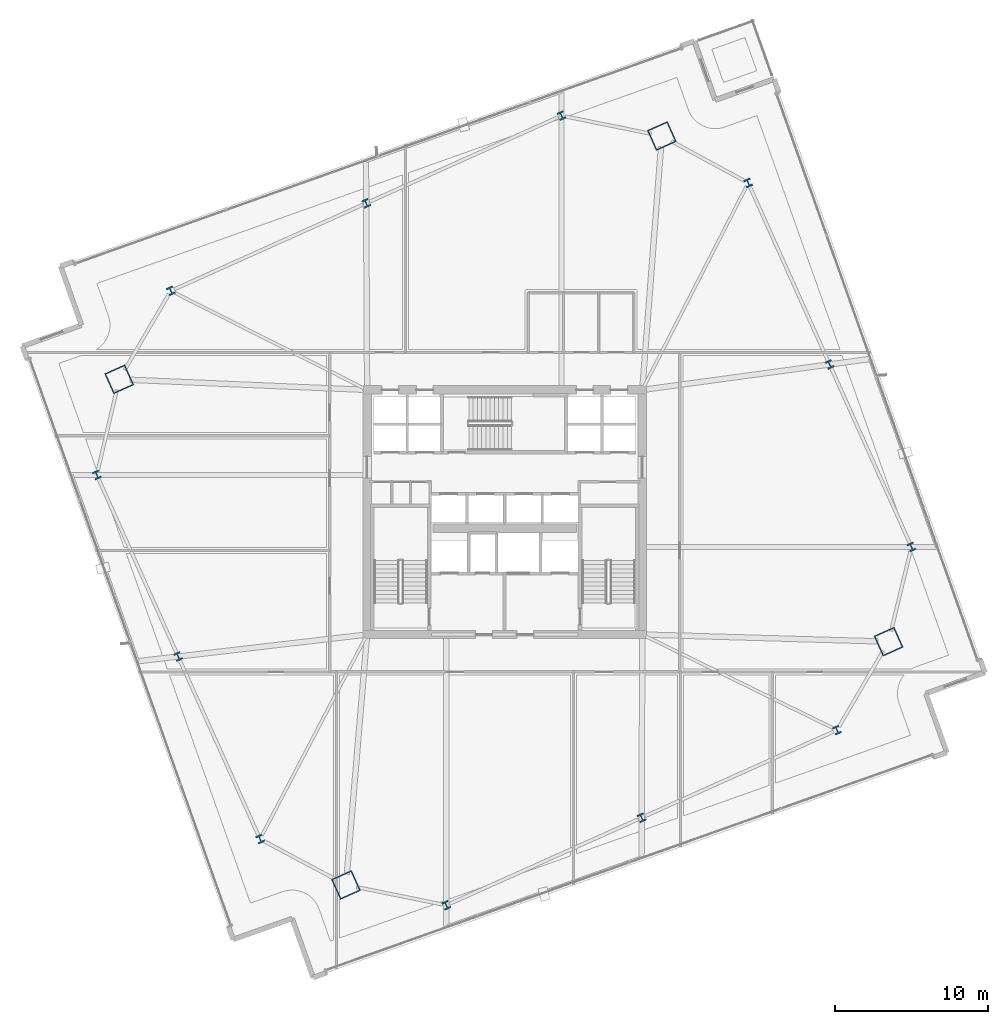
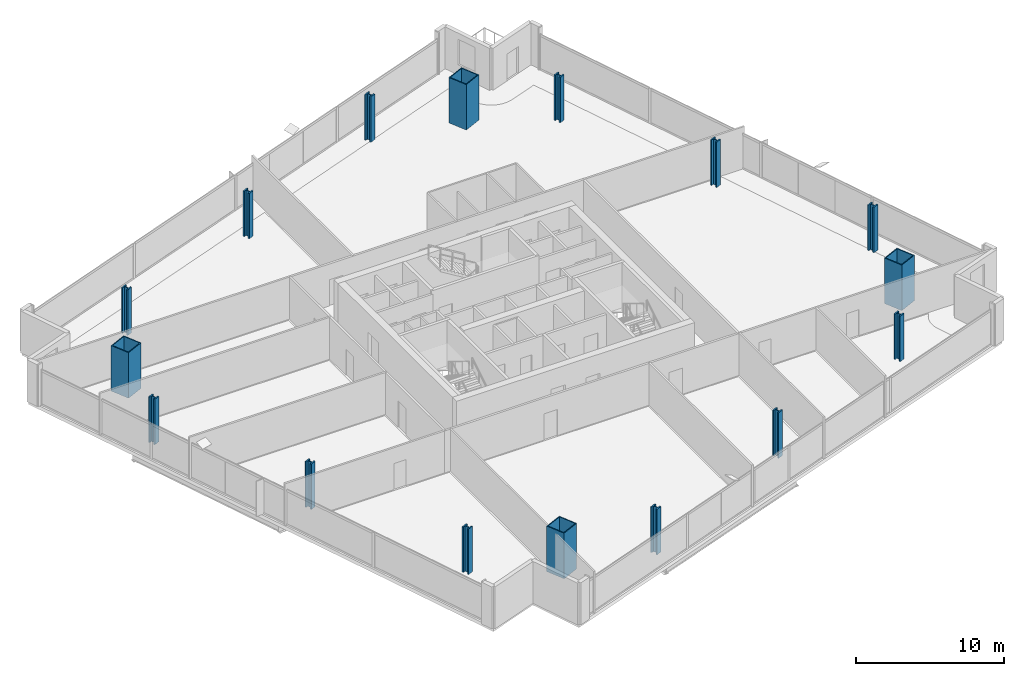
# One storey, part 1 of 33: 16 columns.
"""IFC4 building model written with IfcOpenShell, lengths in metres."""

from ifc_helpers import new_model, si_unit, direction, frame, origin, origin_2d, place, context, subcontext, project, spatial, hollow_rectangle, i_section, extrude, material, material_profile, profile_set, type_object, element, save


model = new_model("IFC4")

# Units and contexts
model_context = context("Model", 3, precision=1e-05, world=origin(), true_north=direction((0.0, 1.0)))
body_context = subcontext(model_context, "Body", "Model", "MODEL_VIEW")
ifc_project = project(units=[si_unit("LENGTHUNIT", "METRE"), si_unit("AREAUNIT", "SQUARE_METRE"), si_unit("VOLUMEUNIT", "CUBIC_METRE"), si_unit("PLANEANGLEUNIT", "RADIAN"), si_unit("MASSUNIT", "GRAM", prefix="KILO")], contexts=[model_context])

# Site, building, storey
site_placement = place(None, origin())
site = spatial("IfcSite", under=ifc_project, at=site_placement, CompositionType="ELEMENT")
building_placement = place(site_placement, origin())
building = spatial("IfcBuilding", under=site, at=building_placement, Name="Haldenkirk Collegiate Tower", CompositionType="ELEMENT")
storey_placement = place(building_placement, frame((0.0, 0.0, 94.199951171875)))
storey = spatial("IfcBuildingStorey", under=building, at=storey_placement, Name="L22", CompositionType="ELEMENT", Elevation=94.199951171875)

# Columns
ifc_material_1 = material(Name="Steel ASTM A913 Grade 65", Category="steel")
ifc_material_profile_1 = material_profile(ifc_material_1, i_section(OverallWidth=0.44189453125, OverallDepth=0.531005859375, WebThickness=0.06591796875, FlangeThickness=0.105712890625, at=origin_2d()), Name="W14X605")
ifc_profile_set_1 = profile_set([ifc_material_profile_1], Name="Steel ASTM A913 Grade 65")
column_type_1 = type_object("IfcColumnType", Name="COL-INT-W14X605", PredefinedType="COLUMN", material=ifc_profile_set_1)
for number, where, z_axis, x_axis, name in (
    (1, (32.181396484375, 0.287353515625, 0.0), (0.0, 0.0, 1.0), (0.912477494148, 0.409126902895, 0.0), "L22 perimeter gravity column PC-S1"),
    (2, (44.9599609375, 6.0166015625, 0.0), (0.0, 0.0, 1.0), (0.912477494148, 0.409126902895, 0.0), "L22 perimeter gravity column PC-S2"),
    (3, (57.73828125, 11.74609375, 0.0), (0.0, 0.0, 1.0), (0.912477494148, 0.409126902895, 0.0), "L22 perimeter gravity column PC-S3"),
    (4, (62.608642578125, 23.727294921875, 0.0), (0.0, 0.0, 1.0), (0.912477494148, 0.409126902895, 0.0), "L22 perimeter gravity column PC-E1"),
    (5, (57.255126953125, 35.667236328125, 0.0), (0.0, 0.0, 1.0), (0.912477494148, 0.409126902895, 0.0), "L22 perimeter gravity column PC-E2"),
    (6, (51.930419921875, 47.543212890625, 0.0), (0.0, 0.0, 1.0), (0.912477494148, 0.409126902895, 0.0), "L22 perimeter gravity column PC-E3"),
    (7, (39.71630859375, 51.94091796875, 0.0), (0.0, 0.0, 1.0), (0.912477494148, 0.409126902895, 0.0), "L22 perimeter gravity column PC-N1"),
    (8, (26.937744140625, 46.21142578125, 0.0), (0.0, 0.0, 1.0), (0.912477494148, 0.409126902895, 0.0), "L22 perimeter gravity column PC-N2"),
    (9, (14.159423828125, 40.48193359375, 0.0), (0.0, 0.0, 1.0), (0.912477494148, 0.409126902895, 0.0), "L22 perimeter gravity column PC-N3"),
    (10, (9.317626953125, 28.436767578125, 0.0), (0.0, 0.0, 1.0), (0.912477494148, 0.409126902895, 0.0), "L22 perimeter gravity column PC-W1"),
    (11, (14.642578125, 16.560791015625, 0.0), (0.0, 0.0, 1.0), (0.912477494148, 0.409126902895, 0.0), "L22 perimeter gravity column PC-W2"),
    (12, (19.995849609375, 4.62109375, 0.0), (0.0, 0.0, 1.0), (0.912477494148, 0.409126902895, 0.0), "L22 perimeter gravity column PC-W3"),
):
    element("IfcColumn", number, at=place(storey_placement, frame(where, z_axis=z_axis, x_axis=x_axis)), inside=storey, type_object=column_type_1, Name=name, PredefinedType="COLUMN", context=body_context, shape_type="SweptSolid", body=[
        extrude(i_section(OverallWidth=0.44189453125, OverallDepth=0.531005859375, WebThickness=0.06591796875, FlangeThickness=0.105712890625, at=origin_2d()), origin(), (0.0, 0.0, 1.0), 3.75),
    ])
ifc_material_2 = material(Name="Steel ASTM A572 Grade 50", Category="steel")
ifc_material_profile_2 = material_profile(ifc_material_2, hollow_rectangle(XDim=1.449951171875, YDim=1.449951171875, WallThickness=0.070068359375, at=origin_2d()), Name="BOX1450X1450X70")
ifc_profile_set_2 = profile_set([ifc_material_profile_2], Name="Steel ASTM A572 Grade 50")
column_type_2 = type_object("IfcColumnType", Name="COL-MEGA-BOX1450X1450X70", PredefinedType="COLUMN", material=ifc_profile_set_2)
for number, where, z_axis, x_axis, name in (
    (13, (25.61669921875, 1.617919921875, 0.0), (0.0, 0.0, 1.0), (0.912477494148, 0.409126902895, 0.0), "L22 corner mega-column MC1"),
    (14, (61.112060546875, 17.532958984375, 0.0), (0.0, 0.0, 1.0), (0.912477494148, 0.409126902895, 0.0), "L22 corner mega-column MC2"),
    (15, (46.281005859375, 50.610107421875, 0.0), (0.0, 0.0, 1.0), (0.912477494148, 0.409126902895, 0.0), "L22 corner mega-column MC3"),
    (16, (10.78564453125, 34.6953125, 0.0), (0.0, 0.0, 1.0), (0.912477494148, 0.409126902895, 0.0), "L22 corner mega-column MC4"),
):
    element("IfcColumn", number, at=place(storey_placement, frame(where, z_axis=z_axis, x_axis=x_axis)), inside=storey, type_object=column_type_2, Name=name, PredefinedType="COLUMN", context=body_context, shape_type="SweptSolid", body=[
        extrude(hollow_rectangle(XDim=1.449951171875, YDim=1.449951171875, WallThickness=0.070068359375, at=origin_2d()), origin(), (0.0, 0.0, 1.0), 3.75),
    ])

save(model, "model.ifc")
